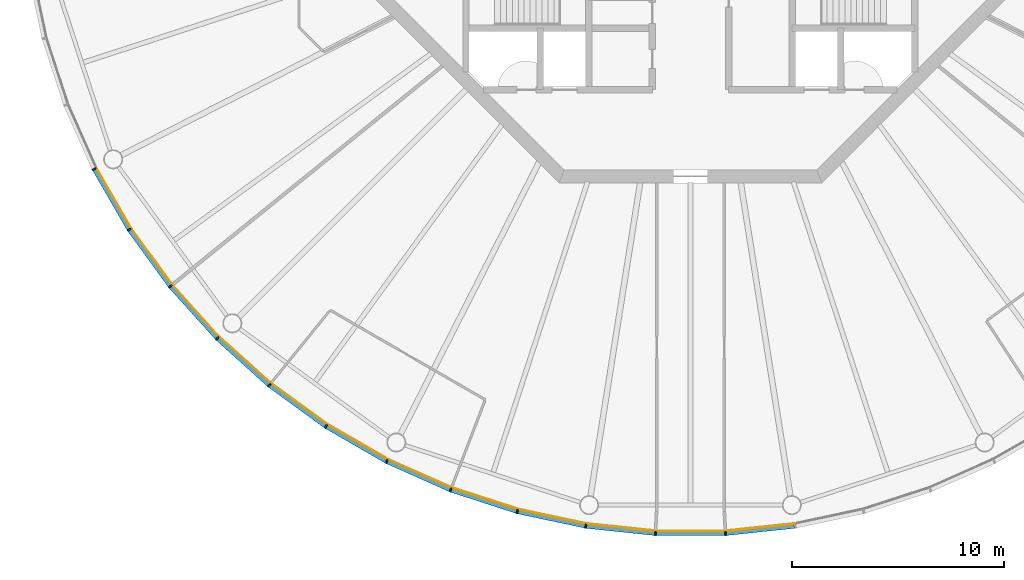
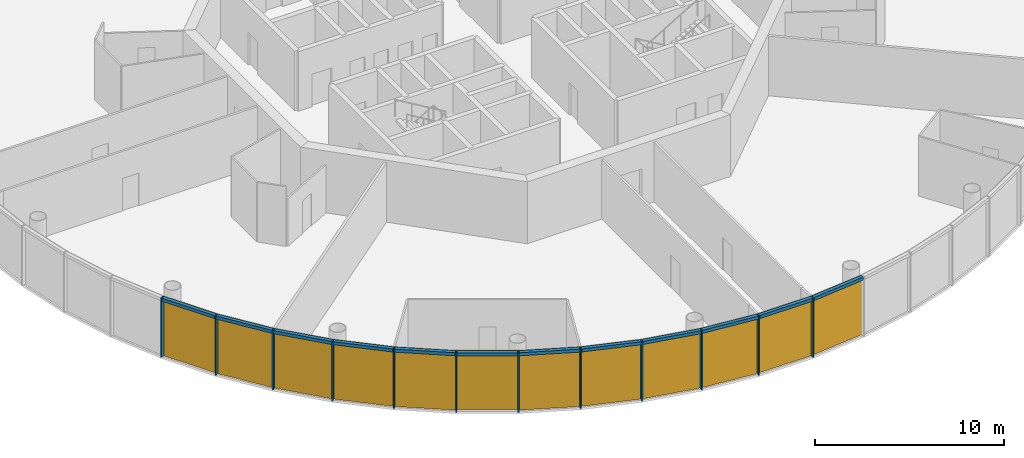
# One storey, part 7 of 13: 24 members, 4 curtain walls.
"""IFC4 building model written with IfcOpenShell, lengths in metres."""

import ifcopenshell
import ifcopenshell.guid

model = None  # the IFC model being written
_history = None  # IfcOwnerHistory: only IFC2X3 demands one
_inside = {}  # id of a spatial element -> (the spatial element, [elements in it])
_under = {}  # id of a project, library or spatial element -> (it, [spatial elements below it])
_declared = {}  # id of a project -> (the project, [libraries it declares])
_typed = {}  # id of a type object -> (the type object, [elements of that type])
_made_of = {}  # id of a material, layer set ... -> (it, [elements and type objects made of it])


def new_model(schema):
    """Start an empty IFC model of exactly this schema.

    Asked for "IFC4X3", IfcOpenShell would pick the latest addendum, in which some entities
    have other attributes; the version numbers below select the first issue.
    IFC2X3 requires an IfcOwnerHistory on every rooted entity: one is made here for all.
    """
    global model, _history
    if schema == "IFC4X3":
        model = ifcopenshell.file(schema_version=(4, 3, 0, 0))
    else:
        model = ifcopenshell.file(schema=schema)
    _inside.clear()
    _under.clear()
    _declared.clear()
    _typed.clear()
    _made_of.clear()
    _history = None
    if model.schema == "IFC2X3":
        org = make("IfcOrganization", Name="unknown")
        user = make(
            "IfcPersonAndOrganization",
            ThePerson=make("IfcPerson", FamilyName="unknown"),
            TheOrganization=org,
        )
        app = make(
            "IfcApplication",
            ApplicationDeveloper=org,
            Version="unknown",
            ApplicationFullName="unknown",
            ApplicationIdentifier="unknown",
        )
        _history = make(
            "IfcOwnerHistory",
            OwningUser=user,
            OwningApplication=app,
            ChangeAction="ADDED",
            CreationDate=0,
        )
    return model


def make(cls, **values):
    """One entity of the class cls with the attributes given. An attribute that is None is left unset."""
    return model.create_entity(
        cls, **{name: value for name, value in values.items() if value is not None}
    )


def rooted(cls, **values):
    """An entity with a GlobalId (a new one), such as an element, a storey or a relation."""
    return make(cls, GlobalId=ifcopenshell.guid.new(), OwnerHistory=_history, **values)


def si_unit(unit_type, name, prefix=None):
    """IfcSIUnit, for example si_unit("LENGTHUNIT", "METRE", prefix="MILLI")."""
    return make("IfcSIUnit", UnitType=unit_type, Prefix=prefix, Name=name)


def assignment(units):
    """IfcUnitAssignment: the units of a project."""
    return None if units is None else make("IfcUnitAssignment", Units=units)


def point(xyz):
    """IfcCartesianPoint."""
    return None if xyz is None else make("IfcCartesianPoint", Coordinates=xyz)


def direction(xyz):
    """IfcDirection."""
    return None if xyz is None else make("IfcDirection", DirectionRatios=xyz)


def frame(location, z_axis=None, x_axis=None):
    """IfcAxis2Placement3D, a coordinate frame: its origin and axes. An axis left out is left unset."""
    return make(
        "IfcAxis2Placement3D",
        Location=point(location),
        Axis=direction(z_axis),
        RefDirection=direction(x_axis),
    )


def frame_2d(location, x_axis=None):
    """IfcAxis2Placement2D, a coordinate frame in the plane: its origin and x axis."""
    return make(
        "IfcAxis2Placement2D", Location=point(location), RefDirection=direction(x_axis)
    )


def origin():
    """The frame at (0, 0, 0) with its axes left unset."""
    return frame((0.0, 0.0, 0.0))


def origin_2d():
    """The frame at (0, 0) in the plane with its x axis left unset."""
    return frame_2d((0.0, 0.0))


def place(relative_to, where):
    """IfcLocalPlacement: puts the frame where relative to a parent placement (None: the world)."""
    return make(
        "IfcLocalPlacement", PlacementRelTo=relative_to, RelativePlacement=where
    )


def context(
    kind, dimensions, precision=None, world=None, true_north=None, identifier=None
):
    """IfcGeometricRepresentationContext, for example the 3D "Model" context."""
    return make(
        "IfcGeometricRepresentationContext",
        ContextIdentifier=identifier,
        ContextType=kind,
        CoordinateSpaceDimension=dimensions,
        Precision=precision,
        WorldCoordinateSystem=world,
        TrueNorth=true_north,
    )


def subcontext(parent, identifier, kind, view, scale=None):
    """IfcGeometricRepresentationSubContext, for example "Body" below "Model"."""
    return make(
        "IfcGeometricRepresentationSubContext",
        ContextIdentifier=identifier,
        ContextType=kind,
        ParentContext=parent,
        TargetScale=scale,
        TargetView=view,
    )


def project(units=None, contexts=None):
    """IfcProject with its units and contexts."""
    return rooted(
        "IfcProject",
        Name="project",
        RepresentationContexts=contexts,
        UnitsInContext=assignment(units),
    )


def spatial(cls, under=None, at=None, **own):
    """A site, building, storey or space (cls), placed at a placement, below another one or the project."""
    s = rooted(cls, ObjectPlacement=at, **own)
    if under is not None:
        _under.setdefault(under.id(), (under, []))[1].append(s)
    return s


def polyline(points):
    """IfcPolyline through the points."""
    return make("IfcPolyline", Points=[point(p) for p in points])


def profile(cls, at=None, kind="AREA", **sizes):
    """A parametric profile (cls). Its sizes go by their IFC names, for example OverallWidth=200.0."""
    return make(cls, ProfileType=kind, Position=at, **sizes)


def rectangle(**sizes):
    """IfcRectangleProfileDef."""
    return profile("IfcRectangleProfileDef", **sizes)


def outline(outer, holes=None, kind="AREA"):
    """IfcArbitraryClosedProfileDef: a profile drawn as a closed curve; with holes, ...WithVoids."""
    if holes is None:
        return make("IfcArbitraryClosedProfileDef", ProfileType=kind, OuterCurve=outer)
    return make(
        "IfcArbitraryProfileDefWithVoids",
        ProfileType=kind,
        OuterCurve=outer,
        InnerCurves=holes,
    )


def extrude(swept, where, along, depth):
    """IfcExtrudedAreaSolid: the profile swept, set in the frame where, extruded along a direction by depth."""
    return make(
        "IfcExtrudedAreaSolid",
        SweptArea=swept,
        Position=where,
        ExtrudedDirection=direction(along),
        Depth=depth,
    )


def shape(context_of_items, identifier, shape_type, items):
    """IfcShapeRepresentation: the items that make up one representation, for example the "Body"."""
    return make(
        "IfcShapeRepresentation",
        ContextOfItems=context_of_items,
        RepresentationIdentifier=identifier,
        RepresentationType=shape_type,
        Items=items,
    )


def material(Name=None, Category=None):
    """IfcMaterial."""
    return make("IfcMaterial", Name=Name, Category=Category)


def layer(
    of_material, thickness, ventilated=None, Name=None, Category=None, Priority=None
):
    """IfcMaterialLayer: one layer of a wall or slab, of a material (None: an air gap)."""
    return make(
        "IfcMaterialLayer",
        Material=of_material,
        LayerThickness=thickness,
        IsVentilated=ventilated,
        Name=Name,
        Category=Category,
        Priority=Priority,
    )


def layer_set(layers, Name=None):
    """IfcMaterialLayerSet."""
    return make("IfcMaterialLayerSet", MaterialLayers=layers, LayerSetName=Name)


def material_profile(
    of_material, cross_section, Name=None, Category=None, Priority=None
):
    """IfcMaterialProfile: a cross section and its material."""
    return make(
        "IfcMaterialProfile",
        Name=Name,
        Material=of_material,
        Profile=cross_section,
        Priority=Priority,
        Category=Category,
    )


def profile_set(profiles, Name=None, composite=None):
    """IfcMaterialProfileSet."""
    return make(
        "IfcMaterialProfileSet",
        Name=Name,
        MaterialProfiles=profiles,
        CompositeProfile=composite,
    )


def made_of(thing, what):
    """Note that an element or type object is made of a material, layer set ...; save() writes the relation."""
    if what is not None:
        _made_of.setdefault(what.id(), (what, []))[1].append(thing)
    return thing


def type_object(cls, material=None, **own):
    """A type object (cls), such as IfcWallType, which elements share."""
    return made_of(rooted(cls, **own), material)


def element(
    cls,
    number,
    at=None,
    inside=None,
    cuts=None,
    type_object=None,
    material=None,
    context=None,
    identifier="Body",
    shape_type=None,
    held_by="IfcProductDefinitionShape",
    body=None,
    shapes=None,
    **own,
):
    """One element of the class cls, such as IfcWall. Its Tag is "e" and its number.

    at: its placement. inside: the storey or other place that contains it. cuts: it is an
    opening in that element (IfcRelVoidsElement). A single representation is given by context,
    identifier, shape_type and body (its items); several are given by shapes. held_by: the class
    of the entity that holds the representations. save() writes the other relations.
    """
    e = rooted(cls, Tag="e%d" % number, ObjectPlacement=at, **own)
    if body is not None:
        shapes = [shape(context, identifier, shape_type, body)]
    if shapes is not None:
        e.Representation = make(held_by, Representations=shapes)
    if inside is not None:
        _inside.setdefault(inside.id(), (inside, []))[1].append(e)
    if cuts is not None:
        rooted(
            "IfcRelVoidsElement", RelatingBuildingElement=cuts, RelatedOpeningElement=e
        )
    if type_object is not None:
        _typed.setdefault(type_object.id(), (type_object, []))[1].append(e)
    return made_of(e, material)


def aggregate(whole, parts):
    """IfcRelAggregates: a whole, such as a stair, and the parts it consists of."""
    return rooted("IfcRelAggregates", RelatingObject=whole, RelatedObjects=parts)


def save(model, path):
    """Write the relations noted so far, then the file.

    IfcRelAggregates (storeys below a building ...), IfcRelContainedInSpatialStructure (elements
    in a storey), IfcRelDefinesByType, IfcRelAssociatesMaterial and IfcRelDeclares: one each for
    every whole, place, type object, material and project.
    """
    for whole, parts in _under.values():
        aggregate(whole, parts)
    for where, things in _inside.values():
        rooted(
            "IfcRelContainedInSpatialStructure",
            RelatedElements=things,
            RelatingStructure=where,
        )
    for kind, things in _typed.values():
        rooted("IfcRelDefinesByType", RelatedObjects=things, RelatingType=kind)
    for what, things in _made_of.values():
        rooted("IfcRelAssociatesMaterial", RelatedObjects=things, RelatingMaterial=what)
    for by, libraries in _declared.values():
        rooted("IfcRelDeclares", RelatingContext=by, RelatedDefinitions=libraries)
    model.write(path)


model = new_model("IFC4")

# Units and contexts
model_context = context("Model", 3, precision=1e-05, world=origin(), true_north=direction((0.0, 1.0)))
body_context = subcontext(model_context, "Body", "Model", "MODEL_VIEW")
ifc_project = project(units=[si_unit("LENGTHUNIT", "METRE"), si_unit("AREAUNIT", "SQUARE_METRE"), si_unit("VOLUMEUNIT", "CUBIC_METRE"), si_unit("PLANEANGLEUNIT", "RADIAN"), si_unit("MASSUNIT", "GRAM", prefix="KILO")], contexts=[model_context])

# Member
ifc_material_1 = material(Name="Anodised aluminium", Category="aluminium")
ifc_material_profile_1 = material_profile(ifc_material_1, rectangle(XDim=0.070068359375, YDim=0.205078125, at=origin_2d()), Name="Mullion 70 x 205 mm anodised aluminium")
ifc_profile_set_1 = profile_set([ifc_material_profile_1], Name="Anodised aluminium")
member_type_1 = type_object("IfcMemberType", Name="Mullion 70 x 205 mm anodised aluminium", PredefinedType="MULLION", material=ifc_profile_set_1)
site_placement = place(None, origin())
building_placement = place(site_placement, origin())
storey_placement = place(building_placement, frame((0.0, 0.0, 344.0)))
member_1_placement = place(storey_placement, frame((61.842041015625, 65.65283203125, 0.0), z_axis=(0.0, 0.0, 1.0), x_axis=(0.45399049974, -0.891006524188, 0.0)))
member_1 = element("IfcMember", 1, at=member_1_placement, type_object=member_type_1, Name="MULLION L79-33", PredefinedType="MULLION", context=body_context, shape_type="SweptSolid", body=[
    extrude(rectangle(XDim=0.070068359375, YDim=0.205078125, at=origin_2d()), origin(), (0.0, 0.0, 1.0), 3.85009765625),
])

member_2_placement = place(storey_placement, frame((63.495849609375, 62.7880859375, 0.0), z_axis=(0.0, 0.0, 1.0), x_axis=(0.544639035015, -0.838670567945, 0.0)))
member_2 = element("IfcMember", 2, at=member_2_placement, type_object=member_type_1, Name="MULLION L79-34", PredefinedType="MULLION", context=body_context, shape_type="SweptSolid", body=[
    extrude(rectangle(XDim=0.070068359375, YDim=0.205078125, at=origin_2d()), origin(), (0.0, 0.0, 1.0), 3.85009765625),
])

member_3_placement = place(storey_placement, frame((65.440185546875, 60.11181640625, 0.0), z_axis=(0.0, 0.0, 1.0), x_axis=(0.62932039105, -0.777145961457, 0.0)))
member_3 = element("IfcMember", 3, at=member_3_placement, type_object=member_type_1, Name="MULLION L79-35", PredefinedType="MULLION", context=body_context, shape_type="SweptSolid", body=[
    extrude(rectangle(XDim=0.070068359375, YDim=0.205078125, at=origin_2d()), origin(), (0.0, 0.0, 1.0), 3.85009765625),
])

member_4_placement = place(storey_placement, frame((67.653564453125, 57.653564453125, 0.0), z_axis=(0.0, 0.0, 1.0), x_axis=(0.707106781187, -0.707106781187, 0.0)))
member_4 = element("IfcMember", 4, at=member_4_placement, type_object=member_type_1, Name="MULLION L79-36", PredefinedType="MULLION", context=body_context, shape_type="SweptSolid", body=[
    extrude(rectangle(XDim=0.070068359375, YDim=0.205078125, at=origin_2d()), origin(), (0.0, 0.0, 1.0), 3.85009765625),
])

member_5_placement = place(storey_placement, frame((70.11181640625, 55.440185546875, 0.0), z_axis=(0.0, 0.0, 1.0), x_axis=(0.777145961457, -0.62932039105, 0.0)))
member_5 = element("IfcMember", 5, at=member_5_placement, type_object=member_type_1, Name="MULLION L79-37", PredefinedType="MULLION", context=body_context, shape_type="SweptSolid", body=[
    extrude(rectangle(XDim=0.070068359375, YDim=0.205078125, at=origin_2d()), origin(), (0.0, 0.0, 1.0), 3.85009765625),
])

member_6_placement = place(storey_placement, frame((72.7880859375, 53.495849609375, 0.0), z_axis=(0.0, 0.0, 1.0), x_axis=(0.838670567945, -0.544639035015, 0.0)))
member_6 = element("IfcMember", 6, at=member_6_placement, type_object=member_type_1, Name="MULLION L79-38", PredefinedType="MULLION", context=body_context, shape_type="SweptSolid", body=[
    extrude(rectangle(XDim=0.070068359375, YDim=0.205078125, at=origin_2d()), origin(), (0.0, 0.0, 1.0), 3.85009765625),
])

member_7_placement = place(storey_placement, frame((75.65283203125, 51.842041015625, 0.0), z_axis=(0.0, 0.0, 1.0), x_axis=(0.891006524188, -0.45399049974, 0.0)))
member_7 = element("IfcMember", 7, at=member_7_placement, type_object=member_type_1, Name="MULLION L79-39", PredefinedType="MULLION", context=body_context, shape_type="SweptSolid", body=[
    extrude(rectangle(XDim=0.070068359375, YDim=0.205078125, at=origin_2d()), origin(), (0.0, 0.0, 1.0), 3.85009765625),
])

member_8_placement = place(storey_placement, frame((78.674560546875, 50.49658203125, 0.0), z_axis=(0.0, 0.0, 1.0), x_axis=(0.933580426497, -0.358367949545, 0.0)))
member_8 = element("IfcMember", 8, at=member_8_placement, type_object=member_type_1, Name="MULLION L79-40", PredefinedType="MULLION", context=body_context, shape_type="SweptSolid", body=[
    extrude(rectangle(XDim=0.070068359375, YDim=0.205078125, at=origin_2d()), origin(), (0.0, 0.0, 1.0), 3.85009765625),
])

member_9_placement = place(storey_placement, frame((81.820556640625, 49.474365234375, 0.0), z_axis=(0.0, 0.0, 1.0), x_axis=(0.965925826289, -0.258819045103, 0.0)))
member_9 = element("IfcMember", 9, at=member_9_placement, type_object=member_type_1, Name="MULLION L79-41", PredefinedType="MULLION", context=body_context, shape_type="SweptSolid", body=[
    extrude(rectangle(XDim=0.070068359375, YDim=0.205078125, at=origin_2d()), origin(), (0.0, 0.0, 1.0), 3.85009765625),
])

member_10_placement = place(storey_placement, frame((85.056396484375, 48.78662109375, 0.0), z_axis=(0.0, 0.0, 1.0), x_axis=(0.987688340595, -0.15643446504, 0.0)))
member_10 = element("IfcMember", 10, at=member_10_placement, type_object=member_type_1, Name="MULLION L79-42", PredefinedType="MULLION", context=body_context, shape_type="SweptSolid", body=[
    extrude(rectangle(XDim=0.070068359375, YDim=0.205078125, at=origin_2d()), origin(), (0.0, 0.0, 1.0), 3.85009765625),
])

member_11_placement = place(storey_placement, frame((88.345947265625, 48.44091796875, 0.0), z_axis=(0.0, 0.0, 1.0), x_axis=(0.998629534755, -0.052335956243, 0.0)))
member_11 = element("IfcMember", 11, at=member_11_placement, type_object=member_type_1, Name="MULLION L79-43", PredefinedType="MULLION", context=body_context, shape_type="SweptSolid", body=[
    extrude(rectangle(XDim=0.070068359375, YDim=0.205078125, at=origin_2d()), origin(), (0.0, 0.0, 1.0), 3.85009765625),
])

member_12_placement = place(storey_placement, frame((91.654052734375, 48.44091796875, 0.0), z_axis=(0.0, 0.0, 1.0), x_axis=(0.998629534755, 0.052335956243, 0.0)))
member_12 = element("IfcMember", 12, at=member_12_placement, type_object=member_type_1, Name="MULLION L79-44", PredefinedType="MULLION", context=body_context, shape_type="SweptSolid", body=[
    extrude(rectangle(XDim=0.070068359375, YDim=0.205078125, at=origin_2d()), origin(), (0.0, 0.0, 1.0), 3.85009765625),
])

ifc_material_2 = material(Name="Anodised aluminium", Category="aluminium")
ifc_material_profile_2 = material_profile(ifc_material_2, rectangle(XDim=0.205078125, YDim=0.195068359375, at=origin_2d()), Name="Transom 195 x 205 mm anodised aluminium")
ifc_profile_set_2 = profile_set([ifc_material_profile_2], Name="Anodised aluminium")
member_type_2 = type_object("IfcMemberType", Name="Transom 195 x 205 mm anodised aluminium", PredefinedType="USERDEFINED", material=ifc_profile_set_2)
member_13_placement = place(storey_placement, frame((61.862060546875, 65.61767578125, 3.75244140625), z_axis=(0.500004055213, -0.866023062494, 0.0), x_axis=(0.866023062494, 0.500004055213, 0.0)))
member_13 = element("IfcMember", 13, at=member_13_placement, type_object=member_type_2, Name="TRANSOM L79-33", ObjectType="TRANSOM", PredefinedType="USERDEFINED", context=body_context, shape_type="SweptSolid", body=[
    extrude(rectangle(XDim=0.205078125, YDim=0.195068359375, at=origin_2d()), origin(), (0.0, 0.0, 1.0), 3.22705078125),
])

member_14_placement = place(storey_placement, frame((63.51953125, 62.75537109375, 3.75244140625), z_axis=(0.587802790201, -0.809004252048, 0.0), x_axis=(0.809004252048, 0.587802790201, 0.0)))
member_14 = element("IfcMember", 14, at=member_14_placement, type_object=member_type_2, Name="TRANSOM L79-34", ObjectType="TRANSOM", PredefinedType="USERDEFINED", context=body_context, shape_type="SweptSolid", body=[
    extrude(rectangle(XDim=0.205078125, YDim=0.195068359375, at=origin_2d()), origin(), (0.0, 0.0, 1.0), 3.227294921875),
])

member_15_placement = place(storey_placement, frame((65.467041015625, 60.081787109375, 3.75244140625), z_axis=(0.669144438484, -0.743132370743, 0.0), x_axis=(0.743132370743, 0.669144438484, 0.0)))
member_15 = element("IfcMember", 15, at=member_15_placement, type_object=member_type_2, Name="TRANSOM L79-35", ObjectType="TRANSOM", PredefinedType="USERDEFINED", context=body_context, shape_type="SweptSolid", body=[
    extrude(rectangle(XDim=0.205078125, YDim=0.195068359375, at=origin_2d()), origin(), (0.0, 0.0, 1.0), 3.22705078125),
])

member_16_placement = place(storey_placement, frame((67.68359375, 57.62646484375, 3.75244140625), z_axis=(0.743132370743, -0.669144438484, 0.0), x_axis=(0.669144438484, 0.743132370743, 0.0)))
member_16 = element("IfcMember", 16, at=member_16_placement, type_object=member_type_2, Name="TRANSOM L79-36", ObjectType="TRANSOM", PredefinedType="USERDEFINED", context=body_context, shape_type="SweptSolid", body=[
    extrude(rectangle(XDim=0.205078125, YDim=0.195068359375, at=origin_2d()), origin(), (0.0, 0.0, 1.0), 3.22705078125),
])

member_17_placement = place(storey_placement, frame((70.14453125, 55.41650390625, 3.75244140625), z_axis=(0.809004252048, -0.587802790201, 0.0), x_axis=(0.587802790201, 0.809004252048, 0.0)))
member_17 = element("IfcMember", 17, at=member_17_placement, type_object=member_type_2, Name="TRANSOM L79-37", ObjectType="TRANSOM", PredefinedType="USERDEFINED", context=body_context, shape_type="SweptSolid", body=[
    extrude(rectangle(XDim=0.205078125, YDim=0.195068359375, at=origin_2d()), origin(), (0.0, 0.0, 1.0), 3.227294921875),
])

member_18_placement = place(storey_placement, frame((72.822998046875, 53.4755859375, 3.75244140625), z_axis=(0.866023062494, -0.500004055213, 0.0), x_axis=(0.500004055213, 0.866023062494, 0.0)))
member_18 = element("IfcMember", 18, at=member_18_placement, type_object=member_type_2, Name="TRANSOM L79-38", ObjectType="TRANSOM", PredefinedType="USERDEFINED", context=body_context, shape_type="SweptSolid", body=[
    extrude(rectangle(XDim=0.205078125, YDim=0.195068359375, at=origin_2d()), origin(), (0.0, 0.0, 1.0), 3.22705078125),
])

member_19_placement = place(storey_placement, frame((75.689697265625, 51.825439453125, 3.75244140625), z_axis=(0.913521178731, -0.406791170024, 0.0), x_axis=(0.406791170024, 0.913521178731, 0.0)))
member_19 = element("IfcMember", 19, at=member_19_placement, type_object=member_type_2, Name="TRANSOM L79-39", ObjectType="TRANSOM", PredefinedType="USERDEFINED", context=body_context, shape_type="SweptSolid", body=[
    extrude(rectangle(XDim=0.205078125, YDim=0.195068359375, at=origin_2d()), origin(), (0.0, 0.0, 1.0), 3.22705078125),
])

member_20_placement = place(storey_placement, frame((78.713134765625, 50.48388671875, 3.75244140625), z_axis=(0.951046855117, -0.309046726844, 0.0), x_axis=(0.309046726844, 0.951046855117, 0.0)))
member_20 = element("IfcMember", 20, at=member_20_placement, type_object=member_type_2, Name="TRANSOM L79-40", ObjectType="TRANSOM", PredefinedType="USERDEFINED", context=body_context, shape_type="SweptSolid", body=[
    extrude(rectangle(XDim=0.205078125, YDim=0.195068359375, at=origin_2d()), origin(), (0.0, 0.0, 1.0), 3.22705078125),
])

member_21_placement = place(storey_placement, frame((81.860107421875, 49.4658203125, 3.75244140625), z_axis=(0.978153082647, -0.207885898771, 0.0), x_axis=(0.207885898771, 0.978153082647, 0.0)))
member_21 = element("IfcMember", 21, at=member_21_placement, type_object=member_type_2, Name="TRANSOM L79-41", ObjectType="TRANSOM", PredefinedType="USERDEFINED", context=body_context, shape_type="SweptSolid", body=[
    extrude(rectangle(XDim=0.205078125, YDim=0.195068359375, at=origin_2d()), origin(), (0.0, 0.0, 1.0), 3.227294921875),
])

member_22_placement = place(storey_placement, frame((85.096435546875, 48.7822265625, 3.75244140625), z_axis=(0.994519537956, -0.104550890115, 0.0), x_axis=(0.104550890115, 0.994519537956, 0.0)))
member_22 = element("IfcMember", 22, at=member_22_placement, type_object=member_type_2, Name="TRANSOM L79-42", ObjectType="TRANSOM", PredefinedType="USERDEFINED", context=body_context, shape_type="SweptSolid", body=[
    extrude(rectangle(XDim=0.205078125, YDim=0.195068359375, at=origin_2d()), origin(), (0.0, 0.0, 1.0), 3.22705078125),
])

member_23_placement = place(storey_placement, frame((88.386474609375, 48.440673828125, 3.75244140625), z_axis=(1.0, 0.0, 0.0), x_axis=(0.0, 1.0, 0.0)))
member_23 = element("IfcMember", 23, at=member_23_placement, type_object=member_type_2, Name="TRANSOM L79-43", ObjectType="TRANSOM", PredefinedType="USERDEFINED", context=body_context, shape_type="SweptSolid", body=[
    extrude(rectangle(XDim=0.205078125, YDim=0.195068359375, at=origin_2d()), origin(), (0.0, 0.0, 1.0), 3.22705078125),
])

member_24_placement = place(storey_placement, frame((91.694091796875, 48.44482421875, 3.75244140625), z_axis=(0.994519537956, 0.104550890115, 0.0), x_axis=(-0.104550890115, 0.994519537956, 0.0)))
member_24 = element("IfcMember", 24, at=member_24_placement, type_object=member_type_2, Name="TRANSOM L79-44", ObjectType="TRANSOM", PredefinedType="USERDEFINED", context=body_context, shape_type="SweptSolid", body=[
    extrude(rectangle(XDim=0.205078125, YDim=0.195068359375, at=origin_2d()), origin(), (0.0, 0.0, 1.0), 3.22705078125),
])

# Site, building, storey
site = spatial("IfcSite", under=ifc_project, at=site_placement, CompositionType="ELEMENT")
building = spatial("IfcBuilding", under=site, at=building_placement, Name="Entoto Ring Tower", CompositionType="ELEMENT")
storey = spatial("IfcBuildingStorey", under=building, at=storey_placement, Name="L79", CompositionType="ELEMENT", Elevation=344.0)

# Curtain wall
ifc_material_3 = material(Name="Clear low-iron glass", Category="glass")
ifc_layer = layer(ifc_material_3, 0.035888671875)
ifc_layer_set = layer_set([ifc_layer], Name="Clear low-iron glass")
curtain_wall_type = type_object("IfcCurtainWallType", Name="Curtain wall system CW6 glazing 36 mm", PredefinedType="NOTDEFINED", material=ifc_layer_set)
curtain_wall_1_placement = place(storey_placement, origin())
curtain_wall_1 = element("IfcCurtainWall", 25, at=curtain_wall_1_placement, inside=storey, type_object=curtain_wall_type, Name="CW6 L79-12", PredefinedType="NOTDEFINED", context=body_context, shape_type="SweptSolid", body=[
    extrude(outline(polyline([(61.933349609375, 65.69921875), (63.581787109375, 62.84375), (65.52001953125, 60.176513671875), (67.72607421875, 57.72607421875), (67.751708984375, 57.751708984375), (65.5478515625, 60.198974609375), (63.612060546875, 62.863525390625), (61.96533203125, 65.715576171875), (61.933349609375, 65.69921875)])), origin(), (0.0, 0.0, 1.0), 3.85009765625),
])

aggregate(curtain_wall_1, [member_1, member_2, member_3, member_13, member_14, member_15])

curtain_wall_2_placement = place(storey_placement, origin())
curtain_wall_2 = element("IfcCurtainWall", 26, at=curtain_wall_2_placement, inside=storey, type_object=curtain_wall_type, Name="CW6 L79-13", PredefinedType="NOTDEFINED", context=body_context, shape_type="SweptSolid", body=[
    extrude(outline(polyline([(67.72607421875, 57.72607421875), (70.176513671875, 55.52001953125), (72.84375, 53.581787109375), (75.69921875, 51.933349609375), (75.715576171875, 51.96533203125), (72.863525390625, 53.612060546875), (70.198974609375, 55.5478515625), (67.751708984375, 57.751708984375), (67.72607421875, 57.72607421875)])), origin(), (0.0, 0.0, 1.0), 3.85009765625),
])

aggregate(curtain_wall_2, [member_4, member_5, member_6, member_16, member_17, member_18])

curtain_wall_3_placement = place(storey_placement, origin())
curtain_wall_3 = element("IfcCurtainWall", 27, at=curtain_wall_3_placement, inside=storey, type_object=curtain_wall_type, Name="CW6 L79-14", PredefinedType="NOTDEFINED", context=body_context, shape_type="SweptSolid", body=[
    extrude(outline(polyline([(75.69921875, 51.933349609375), (78.71142578125, 50.59228515625), (81.84716796875, 49.5732421875), (85.072265625, 48.8876953125), (85.077880859375, 48.92333984375), (81.8564453125, 49.608154296875), (78.724365234375, 50.6259765625), (75.715576171875, 51.96533203125), (75.69921875, 51.933349609375)])), origin(), (0.0, 0.0, 1.0), 3.85009765625),
])

aggregate(curtain_wall_3, [member_7, member_8, member_9, member_19, member_20, member_21])

curtain_wall_4_placement = place(storey_placement, origin())
curtain_wall_4 = element("IfcCurtainWall", 28, at=curtain_wall_4_placement, inside=storey, type_object=curtain_wall_type, Name="CW6 L79-15", PredefinedType="NOTDEFINED", context=body_context, shape_type="SweptSolid", body=[
    extrude(outline(polyline([(85.072265625, 48.8876953125), (88.351318359375, 48.543212890625), (91.648681640625, 48.543212890625), (94.927734375, 48.8876953125), (94.922119140625, 48.92333984375), (91.646728515625, 48.5791015625), (88.353271484375, 48.5791015625), (85.077880859375, 48.92333984375), (85.072265625, 48.8876953125)])), origin(), (0.0, 0.0, 1.0), 3.85009765625),
])

aggregate(curtain_wall_4, [member_10, member_11, member_12, member_22, member_23, member_24])

save(model, "model.ifc")
